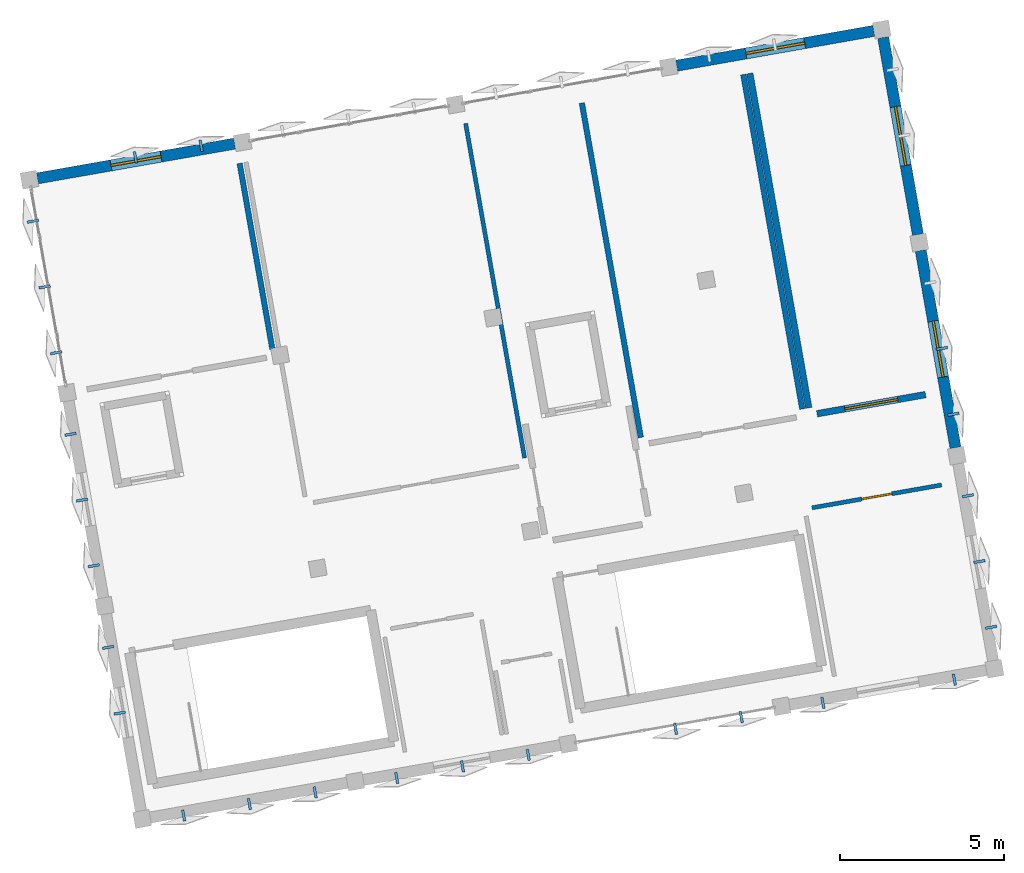
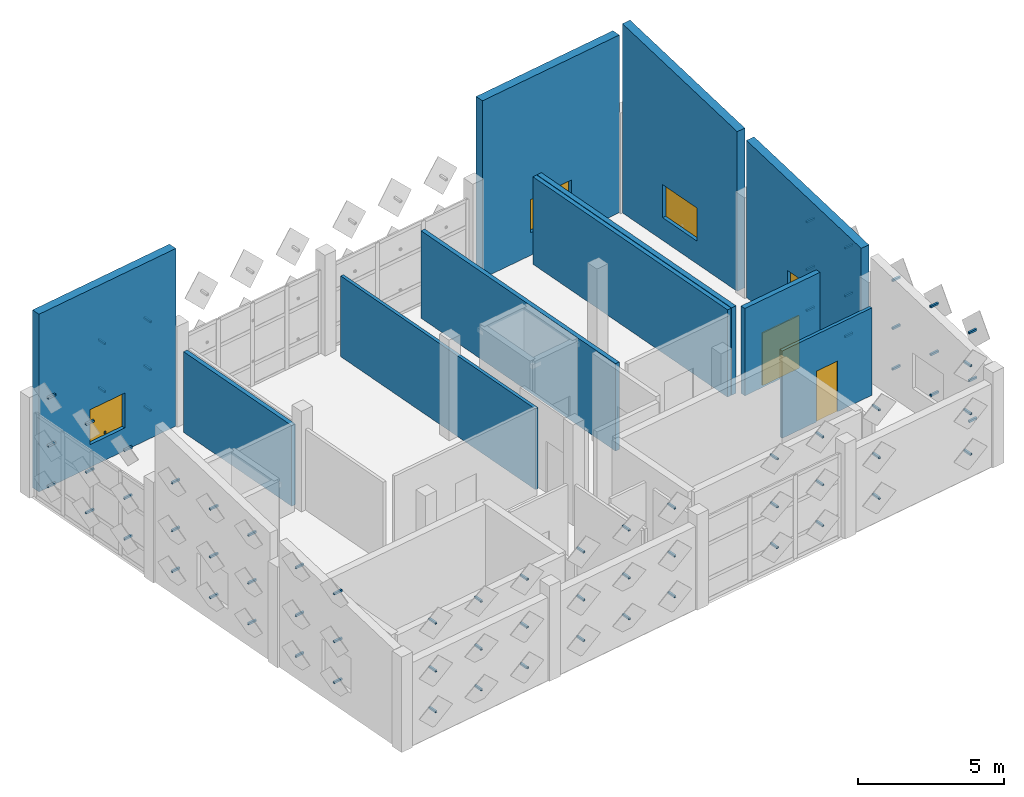
# One storey, part 8 of 11: 75 discrete accessories, 11 walls, 4 windows, 2 doors, 6 openings.
"""IFC4 building model written with IfcOpenShell, lengths in metres."""

from ifc_helpers import new_model, si_unit, direction, frame, frame_2d, origin, origin_2d, place, context, subcontext, project, spatial, polyline, rectangle, hollow_rectangle, outline, extrude, material, layer, layer_set, type_object, element, fill, save


model = new_model("IFC4")

# Units and contexts
model_context = context("Model", 3, precision=1e-05, world=origin(), true_north=direction((0.0, 1.0)))
body_context = subcontext(model_context, "Body", "Model", "MODEL_VIEW")
ifc_project = project(units=[si_unit("LENGTHUNIT", "METRE"), si_unit("AREAUNIT", "SQUARE_METRE"), si_unit("VOLUMEUNIT", "CUBIC_METRE"), si_unit("PLANEANGLEUNIT", "RADIAN"), si_unit("MASSUNIT", "GRAM", prefix="KILO")], contexts=[model_context])

# Site, building, storey
site_placement = place(None, origin())
site = spatial("IfcSite", under=ifc_project, at=site_placement, CompositionType="ELEMENT")
building_placement = place(site_placement, origin())
building = spatial("IfcBuilding", under=site, at=building_placement, Name="Kharisveld Research Institute", CompositionType="ELEMENT")
storey_placement = place(building_placement, frame((0.0, 0.0, 49.199951171875)))
storey = spatial("IfcBuildingStorey", under=building, at=storey_placement, Name="L11", CompositionType="ELEMENT", Elevation=49.199951171875)

# Wall, opening, window
ifc_material_1 = material(Name="Concrete C35/45", Category="concrete")
ifc_layer_1 = layer(ifc_material_1, 0.340087890625)
ifc_layer_set_1 = layer_set([ifc_layer_1], Name="WL_EXT_340")
wall_type_1 = type_object("IfcWallType", Name="WL_EXT_340", PredefinedType="SOLIDWALL", material=ifc_layer_set_1)
wall_1_placement = place(storey_placement, frame((2.0029296875, 54.5517578125, 0.0), z_axis=(0.0, 0.0, 1.0), x_axis=(0.984807282173, 0.173650847905, 0.0)))
wall_1 = element("IfcWall", 1, at=wall_1_placement, inside=storey, type_object=wall_type_1, Name="WL:V1:L11:N0", PredefinedType="SOLIDWALL", context=body_context, shape_type="SweptSolid", body=[
    extrude(rectangle(XDim=6.110107421875, YDim=0.340087890625, at=frame_2d((3.05517578125, 0.0))), origin(), (0.0, 0.0, 1.0), 7.420166015625),
])
opening_1_placement = place(wall_1_placement, frame((2.280029296875, 0.0, 0.949951171875)))
opening_1 = element("IfcOpeningElement", 2, at=opening_1_placement, cuts=wall_1, Name="Opening WN-25", PredefinedType="OPENING", context=body_context, shape_type="SweptSolid", body=[
    extrude(rectangle(XDim=1.550048828125, YDim=1.4599609375, at=frame_2d((0.77490234375, 0.72998046875))), frame((0.0, 0.169921875, 0.0), z_axis=(0.0, -1.0, 0.0), x_axis=(1.0, 0.0, 0.0)), (0.0, 0.0, 1.0), 0.340087890625),
])
ifc_material_2 = material(Name="Low-E Double Glazing", Category="glass")
window_type_1 = type_object("IfcWindowType", Name="WN_25", PartitioningType="DOUBLE_PANEL_VERTICAL", PredefinedType="WINDOW", material=ifc_material_2)
window_1_placement = place(opening_1_placement, origin())
window_1 = element("IfcWindow", 3, at=window_1_placement, inside=storey, type_object=window_type_1, Name="WN:V1:L11:N0", OverallHeight=1.4599609375, OverallWidth=1.550048828125, PartitioningType="SINGLE_PANEL", PredefinedType="WINDOW", context=body_context, shape_type="SweptSolid", body=[
    extrude(rectangle(XDim=1.550048828125, YDim=1.4599609375, at=frame_2d((0.77490234375, 0.72998046875))), frame((0.0, 0.030029296875, 0.0), z_axis=(0.0, -1.0, 0.0), x_axis=(1.0, 0.0, 0.0)), (0.0, 0.0, 1.0), 0.06005859375),
])
fill(opening_1, window_1)

wall_2_placement = place(storey_placement, frame((21.502197265625, 57.989990234375, 0.0), z_axis=(0.0, 0.0, 1.0), x_axis=(0.984807282173, 0.173650847905, 0.0)))
wall_2 = element("IfcWall", 4, at=wall_2_placement, inside=storey, type_object=wall_type_1, Name="WL:V1:L11:N3", PredefinedType="SOLIDWALL", context=body_context, shape_type="SweptSolid", body=[
    extrude(rectangle(XDim=6.110107421875, YDim=0.340087890625, at=frame_2d((3.05517578125, 0.0))), origin(), (0.0, 0.0, 1.0), 7.420166015625),
])
opening_2_placement = place(wall_2_placement, frame((2.14501953125, 0.0, 0.949951171875)))
opening_2 = element("IfcOpeningElement", 5, at=opening_2_placement, cuts=wall_2, Name="Opening WN-28", PredefinedType="OPENING", context=body_context, shape_type="SweptSolid", body=[
    extrude(rectangle(XDim=1.820068359375, YDim=1.3798828125, at=frame_2d((0.91015625, 0.68994140625))), frame((0.0, 0.169921875, 0.0), z_axis=(0.0, -1.0, 0.0), x_axis=(1.0, 0.0, 0.0)), (0.0, 0.0, 1.0), 0.340087890625),
])
ifc_material_3 = material(Name="Low-E Double Glazing", Category="glass")
window_type_2 = type_object("IfcWindowType", Name="WN_28", PartitioningType="DOUBLE_PANEL_VERTICAL", PredefinedType="WINDOW", material=ifc_material_3)
window_2_placement = place(opening_2_placement, origin())
window_2 = element("IfcWindow", 6, at=window_2_placement, inside=storey, type_object=window_type_2, Name="WN:V1:L11:N3", OverallHeight=1.3798828125, OverallWidth=1.820068359375, PartitioningType="SINGLE_PANEL", PredefinedType="WINDOW", context=body_context, shape_type="SweptSolid", body=[
    extrude(rectangle(XDim=1.820068359375, YDim=1.3798828125, at=frame_2d((0.91015625, 0.68994140625))), frame((0.0, 0.030029296875, 0.0), z_axis=(0.0, -1.0, 0.0), x_axis=(1.0, 0.0, 0.0)), (0.0, 0.0, 1.0), 0.06005859375),
])
fill(opening_2, window_2)

wall_3_placement = place(storey_placement, frame((27.80322265625, 58.852294921875, 0.0), z_axis=(0.0, 0.0, 1.0), x_axis=(0.173650847905, -0.984807282173, 0.0)))
wall_3 = element("IfcWall", 7, at=wall_3_placement, inside=storey, type_object=wall_type_1, Name="WL:V1:L11:E3", PredefinedType="SOLIDWALL", context=body_context, shape_type="SweptSolid", body=[
    extrude(outline(polyline([(0.0, 0.0), (6.110107421875, 0.0), (6.110107421875, 6.666259765625), (0.0, 7.900634765625), (0.0, 0.0)])), frame((0.0, 0.169921875, 0.0), z_axis=(0.0, -1.0, 0.0), x_axis=(1.0, 0.0, 0.0)), (0.0, 0.0, 1.0), 0.340087890625),
])
opening_3_placement = place(wall_3_placement, frame((2.14501953125, 0.0, 0.949951171875)))
opening_3 = element("IfcOpeningElement", 8, at=opening_3_placement, cuts=wall_3, Name="Opening WN-28", PredefinedType="OPENING", context=body_context, shape_type="SweptSolid", body=[
    extrude(rectangle(XDim=1.820068359375, YDim=1.3798828125, at=frame_2d((0.91015625, 0.68994140625))), frame((0.0, 0.169921875, 0.0), z_axis=(0.0, -1.0, 0.0), x_axis=(1.0, 0.0, 0.0)), (0.0, 0.0, 1.0), 0.340087890625),
])
window_3_placement = place(opening_3_placement, origin())
window_3 = element("IfcWindow", 9, at=window_3_placement, inside=storey, type_object=window_type_2, Name="WN:V1:L11:E3", OverallHeight=1.3798828125, OverallWidth=1.820068359375, PartitioningType="SINGLE_PANEL", PredefinedType="WINDOW", context=body_context, shape_type="SweptSolid", body=[
    extrude(rectangle(XDim=1.820068359375, YDim=1.3798828125, at=frame_2d((0.91015625, 0.68994140625))), frame((0.0, 0.030029296875, 0.0), z_axis=(0.0, -1.0, 0.0), x_axis=(1.0, 0.0, 0.0)), (0.0, 0.0, 1.0), 0.06005859375),
])
fill(opening_3, window_3)

wall_4_placement = place(storey_placement, frame((28.94921875, 52.3525390625, 0.0), z_axis=(0.0, 0.0, 1.0), x_axis=(0.173650847905, -0.984807282173, 0.0)))
wall_4 = element("IfcWall", 10, at=wall_4_placement, inside=storey, type_object=wall_type_1, Name="WL:V1:L11:E2", PredefinedType="SOLIDWALL", context=body_context, shape_type="SweptSolid", body=[
    extrude(outline(polyline([(0.0, 0.0), (6.110107421875, 0.0), (6.110107421875, 5.332763671875), (0.0, 6.567138671875), (0.0, 0.0)])), frame((0.0, 0.169921875, 0.0), z_axis=(0.0, -1.0, 0.0), x_axis=(1.0, 0.0, 0.0)), (0.0, 0.0, 1.0), 0.340087890625),
])
opening_4_placement = place(wall_4_placement, frame((2.18994140625, 0.0, 0.949951171875)))
opening_4 = element("IfcOpeningElement", 11, at=opening_4_placement, cuts=wall_4, Name="Opening WN-27", PredefinedType="OPENING", context=body_context, shape_type="SweptSolid", body=[
    extrude(rectangle(XDim=1.72998046875, YDim=1.360107421875, at=frame_2d((0.864990234375, 0.68017578125))), frame((0.0, 0.169921875, 0.0), z_axis=(0.0, -1.0, 0.0), x_axis=(1.0, 0.0, 0.0)), (0.0, 0.0, 1.0), 0.340087890625),
])
ifc_material_4 = material(Name="Low-E Double Glazing", Category="glass")
window_type_3 = type_object("IfcWindowType", Name="WN_27", PartitioningType="DOUBLE_PANEL_VERTICAL", PredefinedType="WINDOW", material=ifc_material_4)
window_4_placement = place(opening_4_placement, origin())
window_4 = element("IfcWindow", 12, at=window_4_placement, inside=storey, type_object=window_type_3, Name="WN:V1:L11:E2", OverallHeight=1.360107421875, OverallWidth=1.72998046875, PartitioningType="SINGLE_PANEL", PredefinedType="WINDOW", context=body_context, shape_type="SweptSolid", body=[
    extrude(rectangle(XDim=1.72998046875, YDim=1.360107421875, at=frame_2d((0.864990234375, 0.68017578125))), frame((0.0, 0.030029296875, 0.0), z_axis=(0.0, -1.0, 0.0), x_axis=(1.0, 0.0, 0.0)), (0.0, 0.0, 1.0), 0.06005859375),
])
fill(opening_4, window_4)

# Walls
ifc_material_5 = material(Name="Acoustic Drywall Partition", Category="mineral")
ifc_layer_2 = layer(ifc_material_5, 0.1650390625)
ifc_layer_set_2 = layer_set([ifc_layer_2], Name="WL_LAB_165")
wall_type_2 = type_object("IfcWallType", Name="WL_LAB_165", PredefinedType="PARTITIONING", material=ifc_layer_set_2)
wall_5_placement = place(storey_placement, frame((9.17236328125, 49.33740234375, 0.0), z_axis=(0.0, 0.0, 1.0), x_axis=(-0.173649928941, 0.984807444214, 0.0)))
element("IfcWall", 13, at=wall_5_placement, inside=storey, type_object=wall_type_2, Name="WL:RM:V1:L11:NW11:E", PredefinedType="PARTITIONING", context=body_context, shape_type="SweptSolid", body=[
    extrude(rectangle(XDim=5.760009765625, YDim=0.1650390625, at=frame_2d((2.8798828125, 0.0))), origin(), (0.0, 0.0, 1.0), 3.3701171875),
])
wall_6_placement = place(storey_placement, frame((25.334228515625, 47.516357421875, 0.0), z_axis=(0.0, 0.0, 1.0), x_axis=(-0.173658960975, 0.984805851563, 0.0)))
element("IfcWall", 14, at=wall_6_placement, inside=storey, type_object=wall_type_2, Name="WL:RM:V1:L11:CNF11:E", PredefinedType="PARTITIONING", context=body_context, shape_type="SweptSolid", body=[
    extrude(rectangle(XDim=10.35986328125, YDim=0.1650390625, at=frame_2d((5.179931640625, 0.0))), origin(), (0.0, 0.0, 1.0), 3.650146484375),
])
wall_7_placement = place(storey_placement, frame((18.611083984375, 56.8505859375, 0.0), z_axis=(0.0, 0.0, 1.0), x_axis=(0.173654930775, -0.984806562233, 0.0)))
element("IfcWall", 15, at=wall_7_placement, inside=storey, type_object=wall_type_2, Name="WL:RM:V1:L11:CNF11:W", PredefinedType="PARTITIONING", context=body_context, shape_type="SweptSolid", body=[
    extrude(rectangle(XDim=10.360107421875, YDim=0.1650390625, at=frame_2d((5.18017578125, 0.0))), origin(), (0.0, 0.0, 1.0), 3.650146484375),
])
ifc_material_6 = material(Name="Insulated Stud Partition", Category="mineral")
ifc_layer_3 = layer(ifc_material_6, 0.125)
ifc_layer_set_3 = layer_set([ifc_layer_3], Name="WL_OFF_125")
wall_type_3 = type_object("IfcWallType", Name="WL_OFF_125", PredefinedType="PARTITIONING", material=ifc_layer_set_3)
wall_8_placement = place(storey_placement, frame((16.86474609375, 46.02294921875, 0.0), z_axis=(0.0, 0.0, 1.0), x_axis=(-0.173632075677, 0.984810592092, 0.0)))
element("IfcWall", 16, at=wall_8_placement, inside=storey, type_object=wall_type_3, Name="WL:RM:V1:L11:ARC11:E", PredefinedType="PARTITIONING", context=body_context, shape_type="SweptSolid", body=[
    extrude(rectangle(XDim=10.360107421875, YDim=0.125, at=frame_2d((5.18017578125, 0.0))), origin(), (0.0, 0.0, 1.0), 3.3701171875),
])

# Wall, opening, door
wall_9_placement = place(storey_placement, frame((29.581298828125, 45.198486328125, 0.0), z_axis=(0.0, 0.0, 1.0), x_axis=(-0.984810514369, -0.173632516505, 0.0)))
wall_9 = element("IfcWall", 17, at=wall_9_placement, inside=storey, type_object=wall_type_3, Name="WL:RM:V1:L11:WU11:N", PredefinedType="PARTITIONING", context=body_context, shape_type="SweptSolid", body=[
    extrude(rectangle(XDim=4.010009765625, YDim=0.125, at=frame_2d((2.0048828125, 0.0))), origin(), (0.0, 0.0, 1.0), 3.650146484375),
])
opening_5_placement = place(wall_9_placement, frame((1.534912109375, 0.0, 0.0)))
opening_5 = element("IfcOpeningElement", 18, at=opening_5_placement, cuts=wall_9, Name="Opening DI-175", PredefinedType="OPENING", context=body_context, shape_type="SweptSolid", body=[
    extrude(rectangle(XDim=0.93994140625, YDim=2.1201171875, at=frame_2d((0.469970703125, 1.06005859375))), frame((0.0, 0.0625, 0.0), z_axis=(0.0, -1.0, 0.0), x_axis=(1.0, 0.0, 0.0)), (0.0, 0.0, 1.0), 0.125),
])
ifc_material_7 = material(Name="Flush Painted Hardwood and Anodised Aluminium", Category="wood")
door_type_1 = type_object("IfcDoorType", Name="DR_OFF_094", OperationType="NOTDEFINED", PredefinedType="DOOR", material=ifc_material_7)
door_1_placement = place(opening_5_placement, origin())
door_1 = element("IfcDoor", 19, at=door_1_placement, inside=storey, type_object=door_type_1, Name="DR:RM:V1:L11:WU11:N", OperationType="SINGLE_SWING_LEFT", OverallHeight=2.1201171875, OverallWidth=0.93994140625, PredefinedType="DOOR", context=body_context, shape_type="SweptSolid", body=[
    extrude(rectangle(XDim=0.93994140625, YDim=2.1201171875, at=frame_2d((0.469970703125, 1.06005859375))), frame((0.0, 0.02490234375, 0.0), z_axis=(0.0, -1.0, 0.0), x_axis=(1.0, 0.0, 0.0)), (0.0, 0.0, 1.0), 0.050048828125),
])
fill(opening_5, door_1)

ifc_material_8 = material(Name="Concrete C35/45", Category="concrete")
ifc_layer_4 = layer(ifc_material_8, 0.199951171875)
ifc_layer_set_4 = layer_set([ifc_layer_4], Name="WL_SHF_200")
wall_type_4 = type_object("IfcWallType", Name="WL_SHF_200", PredefinedType="SOLIDWALL", material=ifc_layer_set_4)
wall_10_placement = place(storey_placement, frame((25.7861328125, 47.37255859375, 0.0), z_axis=(0.0, 0.0, 1.0), x_axis=(0.984804765243, 0.173665121296, 0.0)))
wall_10 = element("IfcWall", 20, at=wall_10_placement, inside=storey, type_object=wall_type_4, Name="WL:RM:V1:L11:PLT11:S", PredefinedType="SOLIDWALL", context=body_context, shape_type="SweptSolid", body=[
    extrude(rectangle(XDim=3.35986328125, YDim=0.199951171875, at=frame_2d((1.679931640625, 0.0))), origin(), (0.0, 0.0, 1.0), 3.650146484375),
])
opening_6_placement = place(wall_10_placement, frame((0.860107421875, 0.0, 0.0)))
opening_6 = element("IfcOpeningElement", 21, at=opening_6_placement, cuts=wall_10, Name="Opening DI-174", PredefinedType="OPENING", context=body_context, shape_type="SweptSolid", body=[
    extrude(rectangle(XDim=1.639892578125, YDim=2.199951171875, at=frame_2d((0.81982421875, 1.10009765625))), frame((0.0, 0.10009765625, 0.0), z_axis=(0.0, -1.0, 0.0), x_axis=(1.0, 0.0, 0.0)), (0.0, 0.0, 1.0), 0.199951171875),
])
ifc_material_9 = material(Name="Flush Painted Hardwood and Anodised Aluminium", Category="wood")
door_type_2 = type_object("IfcDoorType", Name="DR_FD60_164", OperationType="DOUBLE_DOOR_SINGLE_SWING", PredefinedType="DOOR", material=ifc_material_9)
door_2_placement = place(opening_6_placement, origin())
door_2 = element("IfcDoor", 22, at=door_2_placement, inside=storey, type_object=door_type_2, Name="DR:RM:V1:L11:PLT11:S", OperationType="DOUBLE_DOOR_SINGLE_SWING", OverallHeight=2.199951171875, OverallWidth=1.639892578125, PredefinedType="DOOR", context=body_context, shape_type="SweptSolid", body=[
    extrude(rectangle(XDim=1.639892578125, YDim=2.199951171875, at=frame_2d((0.81982421875, 1.10009765625))), frame((0.0, 0.02490234375, 0.0), z_axis=(0.0, -1.0, 0.0), x_axis=(1.0, 0.0, 0.0)), (0.0, 0.0, 1.0), 0.050048828125),
])
fill(opening_6, door_2)

# Wall
wall_11_placement = place(storey_placement, frame((23.732177734375, 57.753662109375, 0.0), z_axis=(0.0, 0.0, 1.0), x_axis=(0.173654930775, -0.984806562233, 0.0)))
element("IfcWall", 23, at=wall_11_placement, inside=storey, type_object=wall_type_4, Name="WL:RM:V1:L11:PLT11:W", PredefinedType="SOLIDWALL", context=body_context, shape_type="SweptSolid", body=[
    extrude(rectangle(XDim=10.360107421875, YDim=0.199951171875, at=frame_2d((5.18017578125, 0.0))), origin(), (0.0, 0.0, 1.0), 3.650146484375),
])

# Discrete accessories
ifc_material_10 = material(Name="Steel S355JR", Category="steel")
discrete_accessory_type = type_object("IfcDiscreteAccessoryType", Name="BKT_ST_260", PredefinedType="BRACKET")
for number, where, z_axis, x_axis, name in (
    (24, (4.68603515625, 38.270263671875, 1.050048828125), (-0.984804615622, -0.173665969752, 0.0), (0.173665969752, -0.984804615622, 0.0), "BKT-SHD:V1:L11:W0:S1C0"),
    (25, (4.68603515625, 38.270263671875, 2.75), (-0.984804615622, -0.173665969752, 0.0), (0.173665969752, -0.984804615622, 0.0), "BKT-SHD:V1:L11:W0:S1C1"),
    (26, (4.68603515625, 38.270263671875, 4.75), (-0.984804615622, -0.173665969752, 0.0), (0.173665969752, -0.984804615622, 0.0), "BKT-SHD:V1:L11:W0:S1C2"),
):
    element("IfcDiscreteAccessory", number, at=place(storey_placement, frame(where, z_axis=z_axis, x_axis=x_axis)), inside=storey, type_object=discrete_accessory_type, material=ifc_material_10, Name=name, ObjectType="BRACKET", PredefinedType="BRACKET", context=body_context, shape_type="SweptSolid", body=[
        extrude(hollow_rectangle(XDim=0.080078125, YDim=0.080078125, WallThickness=0.0048828125, at=origin_2d()), origin(), (0.0, 0.0, 1.0), 0.35009765625),
    ])
for number, where, z_axis, x_axis, name in (
    (27, (4.332275390625, 40.276123046875, 1.050048828125), (-0.984783558818, -0.173785333909, 0.0), (0.173785333909, -0.984783558818, 0.0), "BKT-SHD:V1:L11:W0:S2C0"),
    (28, (4.332275390625, 40.276123046875, 2.75), (-0.984783558818, -0.173785333909, 0.0), (0.173785333909, -0.984783558818, 0.0), "BKT-SHD:V1:L11:W0:S2C1"),
    (29, (4.332275390625, 40.276123046875, 4.75), (-0.984783558818, -0.173785333909, 0.0), (0.173785333909, -0.984783558818, 0.0), "BKT-SHD:V1:L11:W0:S2C2"),
    (30, (3.8935546875, 42.764404296875, 1.050048828125), (-0.984783558818, -0.173785333909, 0.0), (0.173785333909, -0.984783558818, 0.0), "BKT-SHD:V1:L11:W1:S0C0"),
    (31, (3.8935546875, 42.764404296875, 2.75), (-0.984783558818, -0.173785333909, 0.0), (0.173785333909, -0.984783558818, 0.0), "BKT-SHD:V1:L11:W1:S0C1"),
    (32, (3.8935546875, 42.764404296875, 4.75), (-0.984783558818, -0.173785333909, 0.0), (0.173785333909, -0.984783558818, 0.0), "BKT-SHD:V1:L11:W1:S0C2"),
):
    element("IfcDiscreteAccessory", number, at=place(storey_placement, frame(where, z_axis=z_axis, x_axis=x_axis)), inside=storey, type_object=discrete_accessory_type, material=ifc_material_10, Name=name, ObjectType="BRACKET", PredefinedType="BRACKET", context=body_context, shape_type="SweptSolid", body=[
        extrude(hollow_rectangle(XDim=0.080078125, YDim=0.080078125, WallThickness=0.0048828125, at=origin_2d()), origin(), (0.0, 0.0, 1.0), 0.349853515625),
    ])
for number, where, z_axis, x_axis, name in (
    (33, (3.5400390625, 44.77001953125, 1.050048828125), (-0.984804615622, -0.173665969752, 0.0), (0.173665969752, -0.984804615622, 0.0), "BKT-SHD:V1:L11:W1:S1C0"),
    (34, (3.5400390625, 44.77001953125, 2.75), (-0.984804615622, -0.173665969752, 0.0), (0.173665969752, -0.984804615622, 0.0), "BKT-SHD:V1:L11:W1:S1C1"),
    (35, (3.5400390625, 44.77001953125, 4.75), (-0.984804615622, -0.173665969752, 0.0), (0.173665969752, -0.984804615622, 0.0), "BKT-SHD:V1:L11:W1:S1C2"),
    (36, (3.186279296875, 46.775634765625, 1.050048828125), (-0.984804615622, -0.173665969752, 0.0), (0.173665969752, -0.984804615622, 0.0), "BKT-SHD:V1:L11:W1:S2C0"),
    (37, (3.186279296875, 46.775634765625, 2.75), (-0.984804615622, -0.173665969752, 0.0), (0.173665969752, -0.984804615622, 0.0), "BKT-SHD:V1:L11:W1:S2C1"),
    (38, (3.186279296875, 46.775634765625, 4.75), (-0.984804615622, -0.173665969752, 0.0), (0.173665969752, -0.984804615622, 0.0), "BKT-SHD:V1:L11:W1:S2C2"),
    (39, (2.74755859375, 49.263916015625, 1.050048828125), (-0.984804615622, -0.173665969752, 0.0), (0.173665969752, -0.984804615622, 0.0), "BKT-SHD:V1:L11:W2:S0C0"),
    (40, (2.74755859375, 49.263916015625, 2.75), (-0.984804615622, -0.173665969752, 0.0), (0.173665969752, -0.984804615622, 0.0), "BKT-SHD:V1:L11:W2:S0C1"),
    (41, (2.74755859375, 49.263916015625, 4.75), (-0.984804615622, -0.173665969752, 0.0), (0.173665969752, -0.984804615622, 0.0), "BKT-SHD:V1:L11:W2:S0C2"),
):
    element("IfcDiscreteAccessory", number, at=place(storey_placement, frame(where, z_axis=z_axis, x_axis=x_axis)), inside=storey, type_object=discrete_accessory_type, material=ifc_material_10, Name=name, ObjectType="BRACKET", PredefinedType="BRACKET", context=body_context, shape_type="SweptSolid", body=[
        extrude(hollow_rectangle(XDim=0.080078125, YDim=0.080078125, WallThickness=0.0048828125, at=origin_2d()), origin(), (0.0, 0.0, 1.0), 0.35009765625),
    ])
for number, where, z_axis, x_axis, name in (
    (42, (2.393798828125, 51.269775390625, 1.050048828125), (-0.984783558818, -0.173785333909, 0.0), (0.173785333909, -0.984783558818, 0.0), "BKT-SHD:V1:L11:W2:S1C0"),
    (43, (2.393798828125, 51.269775390625, 2.75), (-0.984783558818, -0.173785333909, 0.0), (0.173785333909, -0.984783558818, 0.0), "BKT-SHD:V1:L11:W2:S1C1"),
    (44, (2.393798828125, 51.269775390625, 4.75), (-0.984783558818, -0.173785333909, 0.0), (0.173785333909, -0.984783558818, 0.0), "BKT-SHD:V1:L11:W2:S1C2"),
):
    element("IfcDiscreteAccessory", number, at=place(storey_placement, frame(where, z_axis=z_axis, x_axis=x_axis)), inside=storey, type_object=discrete_accessory_type, material=ifc_material_10, Name=name, ObjectType="BRACKET", PredefinedType="BRACKET", context=body_context, shape_type="SweptSolid", body=[
        extrude(hollow_rectangle(XDim=0.080078125, YDim=0.080078125, WallThickness=0.0048828125, at=origin_2d()), origin(), (0.0, 0.0, 1.0), 0.349853515625),
    ])
for number, where, z_axis, x_axis, name in (
    (45, (2.040283203125, 53.275390625, 1.050048828125), (-0.984804615622, -0.173665969752, 0.0), (0.173665969752, -0.984804615622, 0.0), "BKT-SHD:V1:L11:W2:S2C0"),
    (46, (2.040283203125, 53.275390625, 2.75), (-0.984804615622, -0.173665969752, 0.0), (0.173665969752, -0.984804615622, 0.0), "BKT-SHD:V1:L11:W2:S2C1"),
    (47, (2.040283203125, 53.275390625, 4.75), (-0.984804615622, -0.173665969752, 0.0), (0.173665969752, -0.984804615622, 0.0), "BKT-SHD:V1:L11:W2:S2C2"),
    (48, (5.02197265625, 55.023193359375, 1.050048828125), (-0.173665969752, 0.984804615622, 0.0), (-0.984804615622, -0.173665969752, 0.0), "BKT-SHD:V1:L11:N0:S1C0"),
    (49, (5.02197265625, 55.023193359375, 2.75), (-0.173665969752, 0.984804615622, 0.0), (-0.984804615622, -0.173665969752, 0.0), "BKT-SHD:V1:L11:N0:S1C1"),
    (50, (5.02197265625, 55.023193359375, 4.75), (-0.173665969752, 0.984804615622, 0.0), (-0.984804615622, -0.173665969752, 0.0), "BKT-SHD:V1:L11:N0:S1C2"),
    (51, (7.02783203125, 55.376708984375, 1.050048828125), (-0.173665969752, 0.984804615622, 0.0), (-0.984804615622, -0.173665969752, 0.0), "BKT-SHD:V1:L11:N0:S2C0"),
    (52, (7.02783203125, 55.376708984375, 2.75), (-0.173665969752, 0.984804615622, 0.0), (-0.984804615622, -0.173665969752, 0.0), "BKT-SHD:V1:L11:N0:S2C1"),
    (53, (7.02783203125, 55.376708984375, 4.75), (-0.173665969752, 0.984804615622, 0.0), (-0.984804615622, -0.173665969752, 0.0), "BKT-SHD:V1:L11:N0:S2C2"),
    (54, (29.420654296875, 49.33349609375, 1.050048828125), (0.984804615622, 0.173665969752, 0.0), (-0.173665969752, 0.984804615622, 0.0), "BKT-SHD:V1:L11:E2:S1C0"),
    (55, (29.420654296875, 49.33349609375, 2.75), (0.984804615622, 0.173665969752, 0.0), (-0.173665969752, 0.984804615622, 0.0), "BKT-SHD:V1:L11:E2:S1C1"),
    (56, (29.420654296875, 49.33349609375, 4.75), (0.984804615622, 0.173665969752, 0.0), (-0.173665969752, 0.984804615622, 0.0), "BKT-SHD:V1:L11:E2:S1C2"),
    (57, (29.7744140625, 47.327880859375, 1.050048828125), (0.984923681133, 0.172989428414, 0.0), (-0.172989428414, 0.984923681133, 0.0), "BKT-SHD:V1:L11:E2:S2C0"),
    (58, (29.7744140625, 47.327880859375, 2.75), (0.984923681133, 0.172989428414, 0.0), (-0.172989428414, 0.984923681133, 0.0), "BKT-SHD:V1:L11:E2:S2C1"),
    (59, (29.7744140625, 47.327880859375, 4.75), (0.984923681133, 0.172989428414, 0.0), (-0.172989428414, 0.984923681133, 0.0), "BKT-SHD:V1:L11:E2:S2C2"),
    (60, (30.213134765625, 44.839599609375, 1.050048828125), (0.984923681133, 0.172989428414, 0.0), (-0.172989428414, 0.984923681133, 0.0), "BKT-SHD:V1:L11:E1:S0C0"),
    (61, (30.213134765625, 44.839599609375, 2.75), (0.984923681133, 0.172989428414, 0.0), (-0.172989428414, 0.984923681133, 0.0), "BKT-SHD:V1:L11:E1:S0C1"),
    (62, (30.213134765625, 44.839599609375, 4.75), (0.984923681133, 0.172989428414, 0.0), (-0.172989428414, 0.984923681133, 0.0), "BKT-SHD:V1:L11:E1:S0C2"),
):
    element("IfcDiscreteAccessory", number, at=place(storey_placement, frame(where, z_axis=z_axis, x_axis=x_axis)), inside=storey, type_object=discrete_accessory_type, material=ifc_material_10, Name=name, ObjectType="BRACKET", PredefinedType="BRACKET", context=body_context, shape_type="SweptSolid", body=[
        extrude(hollow_rectangle(XDim=0.080078125, YDim=0.080078125, WallThickness=0.0048828125, at=origin_2d()), origin(), (0.0, 0.0, 1.0), 0.35009765625),
    ])
for number, where, z_axis, x_axis, name in (
    (63, (30.56689453125, 42.833740234375, 1.050048828125), (0.984783558818, 0.173785333909, 0.0), (-0.173785333909, 0.984783558818, 0.0), "BKT-SHD:V1:L11:E1:S1C0"),
    (64, (30.56689453125, 42.833740234375, 2.75), (0.984783558818, 0.173785333909, 0.0), (-0.173785333909, 0.984783558818, 0.0), "BKT-SHD:V1:L11:E1:S1C1"),
    (65, (30.56689453125, 42.833740234375, 4.75), (0.984783558818, 0.173785333909, 0.0), (-0.173785333909, 0.984783558818, 0.0), "BKT-SHD:V1:L11:E1:S1C2"),
):
    element("IfcDiscreteAccessory", number, at=place(storey_placement, frame(where, z_axis=z_axis, x_axis=x_axis)), inside=storey, type_object=discrete_accessory_type, material=ifc_material_10, Name=name, ObjectType="BRACKET", PredefinedType="BRACKET", context=body_context, shape_type="SweptSolid", body=[
        extrude(hollow_rectangle(XDim=0.080078125, YDim=0.080078125, WallThickness=0.0048828125, at=origin_2d()), origin(), (0.0, 0.0, 1.0), 0.349853515625),
    ])
for number, where, z_axis, x_axis, name in (
    (66, (30.92041015625, 40.828125, 1.050048828125), (0.984804615622, 0.173665969752, 0.0), (-0.173665969752, 0.984804615622, 0.0), "BKT-SHD:V1:L11:E1:S2C0"),
    (67, (30.92041015625, 40.828125, 2.75), (0.984804615622, 0.173665969752, 0.0), (-0.173665969752, 0.984804615622, 0.0), "BKT-SHD:V1:L11:E1:S2C1"),
    (68, (30.92041015625, 40.828125, 4.75), (0.984804615622, 0.173665969752, 0.0), (-0.173665969752, 0.984804615622, 0.0), "BKT-SHD:V1:L11:E1:S2C2"),
    (69, (29.9443359375, 39.43408203125, 1.050048828125), (0.173665969752, -0.984804615622, 0.0), (0.984804615622, 0.173665969752, 0.0), "BKT-SHD:V1:L11:S4:S0C0"),
    (70, (29.9443359375, 39.43408203125, 2.75), (0.173665969752, -0.984804615622, 0.0), (0.984804615622, 0.173665969752, 0.0), "BKT-SHD:V1:L11:S4:S0C1"),
    (71, (29.9443359375, 39.43408203125, 4.75), (0.173665969752, -0.984804615622, 0.0), (0.984804615622, 0.173665969752, 0.0), "BKT-SHD:V1:L11:S4:S0C2"),
    (72, (25.932861328125, 38.726806640625, 1.050048828125), (0.173665969752, -0.984804615622, 0.0), (0.984804615622, 0.173665969752, 0.0), "BKT-SHD:V1:L11:S4:S2C0"),
    (73, (25.932861328125, 38.726806640625, 2.75), (0.173665969752, -0.984804615622, 0.0), (0.984804615622, 0.173665969752, 0.0), "BKT-SHD:V1:L11:S4:S2C1"),
    (74, (25.932861328125, 38.726806640625, 4.75), (0.173665969752, -0.984804615622, 0.0), (0.984804615622, 0.173665969752, 0.0), "BKT-SHD:V1:L11:S4:S2C2"),
):
    element("IfcDiscreteAccessory", number, at=place(storey_placement, frame(where, z_axis=z_axis, x_axis=x_axis)), inside=storey, type_object=discrete_accessory_type, material=ifc_material_10, Name=name, ObjectType="BRACKET", PredefinedType="BRACKET", context=body_context, shape_type="SweptSolid", body=[
        extrude(hollow_rectangle(XDim=0.080078125, YDim=0.080078125, WallThickness=0.0048828125, at=origin_2d()), origin(), (0.0, 0.0, 1.0), 0.35009765625),
    ])
for number, where, z_axis, x_axis, name in (
    (75, (23.444580078125, 38.287841796875, 1.050048828125), (0.173785333909, -0.984783558818, 0.0), (0.984783558818, 0.173785333909, 0.0), "BKT-SHD:V1:L11:S3:S0C0"),
    (76, (23.444580078125, 38.287841796875, 2.75), (0.173785333909, -0.984783558818, 0.0), (0.984783558818, 0.173785333909, 0.0), "BKT-SHD:V1:L11:S3:S0C1"),
    (77, (23.444580078125, 38.287841796875, 4.75), (0.173785333909, -0.984783558818, 0.0), (0.984783558818, 0.173785333909, 0.0), "BKT-SHD:V1:L11:S3:S0C2"),
):
    element("IfcDiscreteAccessory", number, at=place(storey_placement, frame(where, z_axis=z_axis, x_axis=x_axis)), inside=storey, type_object=discrete_accessory_type, material=ifc_material_10, Name=name, ObjectType="BRACKET", PredefinedType="BRACKET", context=body_context, shape_type="SweptSolid", body=[
        extrude(hollow_rectangle(XDim=0.080078125, YDim=0.080078125, WallThickness=0.0048828125, at=origin_2d()), origin(), (0.0, 0.0, 1.0), 0.349853515625),
    ])
for number, where, z_axis, x_axis, name in (
    (78, (21.43896484375, 37.934326171875, 1.050048828125), (0.173665969752, -0.984804615622, 0.0), (0.984804615622, 0.173665969752, 0.0), "BKT-SHD:V1:L11:S3:S1C0"),
    (79, (21.43896484375, 37.934326171875, 2.75), (0.173665969752, -0.984804615622, 0.0), (0.984804615622, 0.173665969752, 0.0), "BKT-SHD:V1:L11:S3:S1C1"),
    (80, (21.43896484375, 37.934326171875, 4.75), (0.173665969752, -0.984804615622, 0.0), (0.984804615622, 0.173665969752, 0.0), "BKT-SHD:V1:L11:S3:S1C2"),
    (81, (16.94482421875, 37.141845703125, 1.050048828125), (0.173665969752, -0.984804615622, 0.0), (0.984804615622, 0.173665969752, 0.0), "BKT-SHD:V1:L11:S2:S0C0"),
    (82, (16.94482421875, 37.141845703125, 2.75), (0.173665969752, -0.984804615622, 0.0), (0.984804615622, 0.173665969752, 0.0), "BKT-SHD:V1:L11:S2:S0C1"),
    (83, (16.94482421875, 37.141845703125, 4.75), (0.173665969752, -0.984804615622, 0.0), (0.984804615622, 0.173665969752, 0.0), "BKT-SHD:V1:L11:S2:S0C2"),
):
    element("IfcDiscreteAccessory", number, at=place(storey_placement, frame(where, z_axis=z_axis, x_axis=x_axis)), inside=storey, type_object=discrete_accessory_type, material=ifc_material_10, Name=name, ObjectType="BRACKET", PredefinedType="BRACKET", context=body_context, shape_type="SweptSolid", body=[
        extrude(hollow_rectangle(XDim=0.080078125, YDim=0.080078125, WallThickness=0.0048828125, at=origin_2d()), origin(), (0.0, 0.0, 1.0), 0.35009765625),
    ])
for number, where, z_axis, x_axis, name in (
    (84, (14.939208984375, 36.7880859375, 1.050048828125), (0.173785333909, -0.984783558818, 0.0), (0.984783558818, 0.173785333909, 0.0), "BKT-SHD:V1:L11:S2:S1C0"),
    (85, (14.939208984375, 36.7880859375, 2.75), (0.173785333909, -0.984783558818, 0.0), (0.984783558818, 0.173785333909, 0.0), "BKT-SHD:V1:L11:S2:S1C1"),
    (86, (14.939208984375, 36.7880859375, 4.75), (0.173785333909, -0.984783558818, 0.0), (0.984783558818, 0.173785333909, 0.0), "BKT-SHD:V1:L11:S2:S1C2"),
):
    element("IfcDiscreteAccessory", number, at=place(storey_placement, frame(where, z_axis=z_axis, x_axis=x_axis)), inside=storey, type_object=discrete_accessory_type, material=ifc_material_10, Name=name, ObjectType="BRACKET", PredefinedType="BRACKET", context=body_context, shape_type="SweptSolid", body=[
        extrude(hollow_rectangle(XDim=0.080078125, YDim=0.080078125, WallThickness=0.0048828125, at=origin_2d()), origin(), (0.0, 0.0, 1.0), 0.349853515625),
    ])
for number, where, z_axis, x_axis, name in (
    (87, (12.933349609375, 36.4345703125, 1.050048828125), (0.173665969752, -0.984804615622, 0.0), (0.984804615622, 0.173665969752, 0.0), "BKT-SHD:V1:L11:S2:S2C0"),
    (88, (12.933349609375, 36.4345703125, 2.75), (0.173665969752, -0.984804615622, 0.0), (0.984804615622, 0.173665969752, 0.0), "BKT-SHD:V1:L11:S2:S2C1"),
    (89, (12.933349609375, 36.4345703125, 4.75), (0.173665969752, -0.984804615622, 0.0), (0.984804615622, 0.173665969752, 0.0), "BKT-SHD:V1:L11:S2:S2C2"),
    (90, (10.445068359375, 35.995849609375, 1.050048828125), (0.173665969752, -0.984804615622, 0.0), (0.984804615622, 0.173665969752, 0.0), "BKT-SHD:V1:L11:S1:S0C0"),
    (91, (10.445068359375, 35.995849609375, 2.75), (0.173665969752, -0.984804615622, 0.0), (0.984804615622, 0.173665969752, 0.0), "BKT-SHD:V1:L11:S1:S0C1"),
    (92, (10.445068359375, 35.995849609375, 4.75), (0.173665969752, -0.984804615622, 0.0), (0.984804615622, 0.173665969752, 0.0), "BKT-SHD:V1:L11:S1:S0C2"),
    (93, (8.439453125, 35.64208984375, 1.050048828125), (0.173665969752, -0.984804615622, 0.0), (0.984804615622, 0.173665969752, 0.0), "BKT-SHD:V1:L11:S1:S1C0"),
    (94, (8.439453125, 35.64208984375, 2.75), (0.173665969752, -0.984804615622, 0.0), (0.984804615622, 0.173665969752, 0.0), "BKT-SHD:V1:L11:S1:S1C1"),
    (95, (8.439453125, 35.64208984375, 4.75), (0.173665969752, -0.984804615622, 0.0), (0.984804615622, 0.173665969752, 0.0), "BKT-SHD:V1:L11:S1:S1C2"),
    (96, (6.433837890625, 35.28857421875, 1.050048828125), (0.172989428414, -0.984923681133, 0.0), (0.984923681133, 0.172989428414, 0.0), "BKT-SHD:V1:L11:S1:S2C0"),
    (97, (6.433837890625, 35.28857421875, 2.75), (0.172989428414, -0.984923681133, 0.0), (0.984923681133, 0.172989428414, 0.0), "BKT-SHD:V1:L11:S1:S2C1"),
    (98, (6.433837890625, 35.28857421875, 4.75), (0.172989428414, -0.984923681133, 0.0), (0.984923681133, 0.172989428414, 0.0), "BKT-SHD:V1:L11:S1:S2C2"),
):
    element("IfcDiscreteAccessory", number, at=place(storey_placement, frame(where, z_axis=z_axis, x_axis=x_axis)), inside=storey, type_object=discrete_accessory_type, material=ifc_material_10, Name=name, ObjectType="BRACKET", PredefinedType="BRACKET", context=body_context, shape_type="SweptSolid", body=[
        extrude(hollow_rectangle(XDim=0.080078125, YDim=0.080078125, WallThickness=0.0048828125, at=origin_2d()), origin(), (0.0, 0.0, 1.0), 0.35009765625),
    ])

save(model, "model.ifc")
